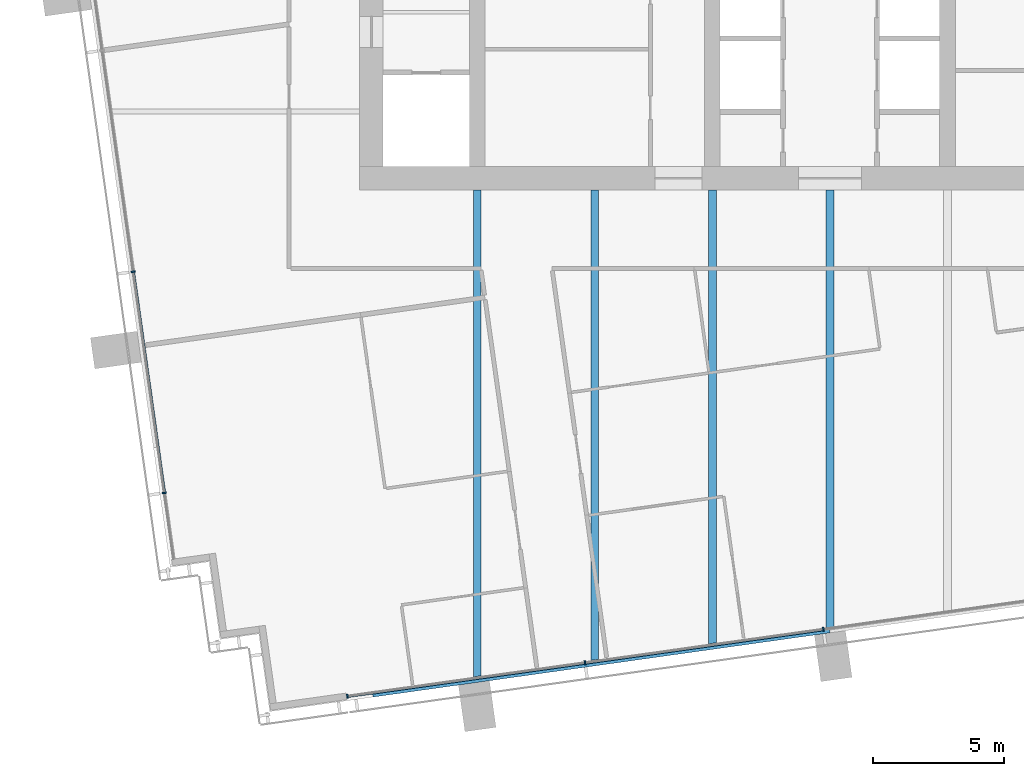
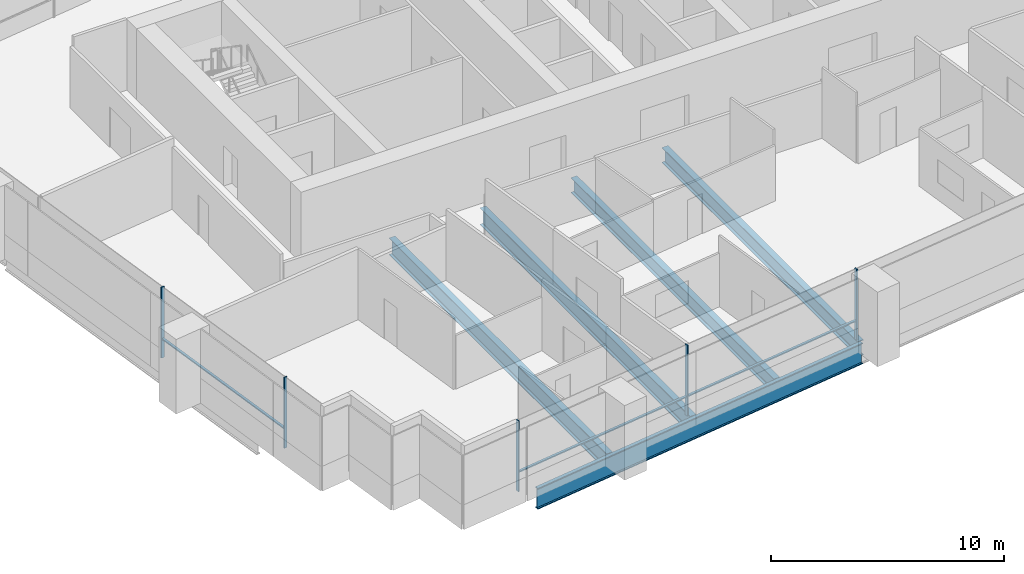
# One storey, part 2 of 18: 8 members, 5 beams, 2 elements without a shape of their own.
"""IFC4 building model written with IfcOpenShell, lengths in metres."""

from ifc_helpers import new_model, si_unit, direction, frame, origin, origin_2d, place, context, subcontext, project, spatial, rectangle, i_section, extrude, material, material_profile, profile_set, type_object, element, aggregate, save


model = new_model("IFC4")

# Units and contexts
model_context = context("Model", 3, precision=1e-05, world=origin(), true_north=direction((0.0, 1.0)))
body_context = subcontext(model_context, "Body", "Model", "MODEL_VIEW")
ifc_project = project(units=[si_unit("LENGTHUNIT", "METRE"), si_unit("AREAUNIT", "SQUARE_METRE"), si_unit("VOLUMEUNIT", "CUBIC_METRE"), si_unit("PLANEANGLEUNIT", "RADIAN"), si_unit("MASSUNIT", "GRAM", prefix="KILO")], contexts=[model_context])

# Site, building, storey
site_placement = place(None, origin())
site = spatial("IfcSite", under=ifc_project, at=site_placement, CompositionType="ELEMENT")
building_placement = place(site_placement, origin())
building = spatial("IfcBuilding", under=site, at=building_placement, Name="Rattan Terrace Tower", CompositionType="ELEMENT")
storey_placement = place(building_placement, frame((0.0, 0.0, 188.0)))
storey = spatial("IfcBuildingStorey", under=building, at=storey_placement, Name="L43", CompositionType="ELEMENT", Elevation=188.0)

# Curtain wall, members
ifc_material_1 = material(Name="Aluminium and glass", Category="aluminium")
curtain_wall_type = type_object("IfcCurtainWallType", Name="Facade Unitised Curtain Wall", PredefinedType="NOTDEFINED", material=ifc_material_1)
curtain_wall_1_placement = place(storey_placement, origin())
curtain_wall_1 = element("IfcCurtainWall", 1, at=curtain_wall_1_placement, inside=storey, type_object=curtain_wall_type, Name="Curtain wall L43-3", PredefinedType="NOTDEFINED")
ifc_material_2 = material(Name="Aluminium", Category="aluminium")
ifc_material_profile_1 = material_profile(ifc_material_2, rectangle(XDim=0.06005859375, YDim=0.159912109375, at=origin_2d()), Name="Aluminium 60x160")
ifc_profile_set_1 = profile_set([ifc_material_profile_1], Name="Aluminium")
member_type_1 = type_object("IfcMemberType", Name="Facade CW Mullion 60x160", PredefinedType="MULLION", material=ifc_profile_set_1)
member_1_placement = place(storey_placement, frame((-26.66748046875, -10.6259765625, 0.0), z_axis=(0.0, 0.0, 1.0), x_axis=(0.139190856006, -0.99026557327, 0.0)))
member_1 = element("IfcMember", 2, at=member_1_placement, type_object=member_type_1, Name="Mullion cwl-L43-003.3", PredefinedType="MULLION", context=body_context, shape_type="SweptSolid", body=[
    extrude(rectangle(XDim=0.06005859375, YDim=0.159912109375, at=origin_2d()), origin(), (0.0, 0.0, 1.0), 3.699951171875),
])
member_2_placement = place(storey_placement, frame((-25.477294921875, -19.092529296875, 0.0), z_axis=(0.0, 0.0, 1.0), x_axis=(0.139190856006, -0.99026557327, 0.0)))
member_2 = element("IfcMember", 3, at=member_2_placement, type_object=member_type_1, Name="Mullion cwl-L43-003.4", PredefinedType="MULLION", context=body_context, shape_type="SweptSolid", body=[
    extrude(rectangle(XDim=0.06005859375, YDim=0.159912109375, at=origin_2d()), origin(), (0.0, 0.0, 1.0), 3.699951171875),
])

curtain_wall_2_placement = place(storey_placement, origin())
curtain_wall_2 = element("IfcCurtainWall", 4, at=curtain_wall_2_placement, inside=storey, type_object=curtain_wall_type, Name="Curtain wall L43-4", PredefinedType="NOTDEFINED")
member_3_placement = place(storey_placement, frame((-18.467041015625, -26.87255859375, 0.0), z_axis=(0.0, 0.0, 1.0), x_axis=(0.990269702686, 0.139161474347, 0.0)))
member_3 = element("IfcMember", 5, at=member_3_placement, type_object=member_type_1, Name="Mullion cwl-L43-004.1", PredefinedType="MULLION", context=body_context, shape_type="SweptSolid", body=[
    extrude(rectangle(XDim=0.06005859375, YDim=0.159912109375, at=origin_2d()), origin(), (0.0, 0.0, 1.0), 3.699951171875),
])
member_4_placement = place(storey_placement, frame((-9.373291015625, -25.594482421875, 0.0), z_axis=(0.0, 0.0, 1.0), x_axis=(0.990269702686, 0.139161474347, 0.0)))
member_4 = element("IfcMember", 6, at=member_4_placement, type_object=member_type_1, Name="Mullion cwl-L43-004.2", PredefinedType="MULLION", context=body_context, shape_type="SweptSolid", body=[
    extrude(rectangle(XDim=0.06005859375, YDim=0.159912109375, at=origin_2d()), origin(), (0.0, 0.0, 1.0), 3.699951171875),
])
member_5_placement = place(storey_placement, frame((-0.25, -24.3125, 0.0), z_axis=(0.0, 0.0, 1.0), x_axis=(0.990269702686, 0.139161474347, 0.0)))
member_5 = element("IfcMember", 7, at=member_5_placement, type_object=member_type_1, Name="Mullion cwl-L43-004.3", PredefinedType="MULLION", context=body_context, shape_type="SweptSolid", body=[
    extrude(rectangle(XDim=0.06005859375, YDim=0.159912109375, at=origin_2d()), origin(), (0.0, 0.0, 1.0), 3.699951171875),
])

# Member
ifc_material_3 = material(Name="Aluminium", Category="aluminium")
ifc_material_profile_2 = material_profile(ifc_material_3, rectangle(XDim=0.1201171875, YDim=0.06005859375, at=origin_2d()), Name="Aluminium 120x60")
ifc_profile_set_2 = profile_set([ifc_material_profile_2], Name="Aluminium")
member_type_2 = type_object("IfcMemberType", Name="Facade CW Transom 120x60", PredefinedType="USERDEFINED", material=ifc_profile_set_2)
member_6_placement = place(storey_placement, frame((-26.663330078125, -10.655517578125, 1.0), z_axis=(0.139178607515, -0.99026729483, 0.0), x_axis=(0.99026729483, 0.139178607515, 0.0)))
member_6 = element("IfcMember", 8, at=member_6_placement, type_object=member_type_2, Name="Transom cwl-L43-003.3", ObjectType="TRANSOM", PredefinedType="USERDEFINED", context=body_context, shape_type="SweptSolid", body=[
    extrude(rectangle(XDim=0.1201171875, YDim=0.06005859375, at=origin_2d()), origin(), (0.0, 0.0, 1.0), 8.489990234375),
])

aggregate(curtain_wall_1, [member_1, member_2, member_6])

member_7_placement = place(storey_placement, frame((-18.437255859375, -26.868408203125, 1.0), z_axis=(0.990266494002, 0.139184305354, 0.0), x_axis=(-0.139184305354, 0.990266494002, 0.0)))
member_7 = element("IfcMember", 9, at=member_7_placement, type_object=member_type_2, Name="Transom cwl-L43-004.1", ObjectType="TRANSOM", PredefinedType="USERDEFINED", context=body_context, shape_type="SweptSolid", body=[
    extrude(rectangle(XDim=0.1201171875, YDim=0.06005859375, at=origin_2d()), origin(), (0.0, 0.0, 1.0), 9.123046875),
])

member_8_placement = place(storey_placement, frame((-9.343505859375, -25.59033203125, 1.0), z_axis=(0.990270711765, 0.139154293575, 0.0), x_axis=(-0.139154293575, 0.990270711765, 0.0)))
member_8 = element("IfcMember", 10, at=member_8_placement, type_object=member_type_2, Name="Transom cwl-L43-004.2", ObjectType="TRANSOM", PredefinedType="USERDEFINED", context=body_context, shape_type="SweptSolid", body=[
    extrude(rectangle(XDim=0.1201171875, YDim=0.06005859375, at=origin_2d()), origin(), (0.0, 0.0, 1.0), 9.153076171875),
])

aggregate(curtain_wall_2, [member_3, member_4, member_5, member_7, member_8])

# Beams
ifc_material_4 = material(Name="Steel S460", Category="steel")
ifc_material_profile_3 = material_profile(ifc_material_4, i_section(OverallWidth=0.179931640625, OverallDepth=1.10009765625, WebThickness=0.01611328125, FlangeThickness=0.050048828125, at=origin_2d()), Name="PG 1100x180-16-50")
ifc_profile_set_3 = profile_set([ifc_material_profile_3], Name="Steel S460")
beam_type_1 = type_object("IfcBeamType", Name="Frame edge girder PG 1100x180-16-50", PredefinedType="SPANDREL", material=ifc_profile_set_3)
beam_1_placement = place(storey_placement, frame((-17.4990234375, -26.818115234375, -0.75), z_axis=(0.990264173921, 0.139200811234, 0.0), x_axis=(-0.139200811234, 0.990264173921, 0.0)))
element("IfcBeam", 11, at=beam_1_placement, inside=storey, type_object=beam_type_1, Name="gdr-L43-001", PredefinedType="SPANDREL", context=body_context, shape_type="SweptSolid", body=[
    extrude(i_section(OverallWidth=0.179931640625, OverallDepth=1.10009765625, WebThickness=0.01611328125, FlangeThickness=0.050048828125, at=origin_2d()), origin(), (0.0, 0.0, 1.0), 17.657958984375),
])
ifc_material_5 = material(Name="Steel S355", Category="steel")
ifc_material_profile_4 = material_profile(ifc_material_5, i_section(OverallWidth=0.300048828125, OverallDepth=0.800048828125, WebThickness=0.017578125, FlangeThickness=0.032958984375, FilletRadius=0.030029296875, at=origin_2d()), Name="HE 800 B")
ifc_profile_set_4 = profile_set([ifc_material_profile_4], Name="Steel S355")
beam_type_2 = type_object("IfcBeamType", Name="Frame floor beam HE 800 B", PredefinedType="JOIST", material=ifc_profile_set_4)
beam_2_placement = place(storey_placement, frame((-4.5, -24.87890625, -0.60009765625), z_axis=(0.0, 1.0, 0.0), x_axis=(-1.0, 0.0, 0.0)))
element("IfcBeam", 12, at=beam_2_placement, inside=storey, type_object=beam_type_2, Name="bm-L43-005", PredefinedType="JOIST", context=body_context, shape_type="SweptSolid", body=[
    extrude(i_section(OverallWidth=0.300048828125, OverallDepth=0.800048828125, WebThickness=0.017578125, FlangeThickness=0.032958984375, FilletRadius=0.030029296875, at=origin_2d()), origin(), (0.0, 0.0, 1.0), 17.37890625),
])
beam_3_placement = place(storey_placement, frame((0.0, -24.24609375, -0.60009765625), z_axis=(0.0, 1.0, 0.0), x_axis=(-1.0, 0.0, 0.0)))
element("IfcBeam", 13, at=beam_3_placement, inside=storey, type_object=beam_type_2, Name="bm-L43-006", PredefinedType="JOIST", context=body_context, shape_type="SweptSolid", body=[
    extrude(i_section(OverallWidth=0.300048828125, OverallDepth=0.800048828125, WebThickness=0.017578125, FlangeThickness=0.032958984375, FilletRadius=0.030029296875, at=origin_2d()), origin(), (0.0, 0.0, 1.0), 16.74609375),
])
ifc_material_6 = material(Name="Steel S355", Category="steel")
ifc_material_profile_5 = material_profile(ifc_material_6, i_section(OverallWidth=0.300048828125, OverallDepth=0.89990234375, WebThickness=0.0185546875, FlangeThickness=0.034912109375, FilletRadius=0.030029296875, at=origin_2d()), Name="HE 900 B")
ifc_profile_set_5 = profile_set([ifc_material_profile_5], Name="Steel S355")
beam_type_3 = type_object("IfcBeamType", Name="Frame floor beam HE 900 B", PredefinedType="JOIST", material=ifc_profile_set_5)
beam_4_placement = place(storey_placement, frame((-13.5, -26.14404296875, -0.64990234375), z_axis=(0.0, 1.0, 0.0), x_axis=(-1.0, 0.0, 0.0)))
element("IfcBeam", 14, at=beam_4_placement, inside=storey, type_object=beam_type_3, Name="bm-L43-003", PredefinedType="JOIST", context=body_context, shape_type="SweptSolid", body=[
    extrude(i_section(OverallWidth=0.300048828125, OverallDepth=0.89990234375, WebThickness=0.0185546875, FlangeThickness=0.034912109375, FilletRadius=0.030029296875, at=origin_2d()), origin(), (0.0, 0.0, 1.0), 18.64404296875),
])
beam_5_placement = place(storey_placement, frame((-9.0, -25.510986328125, -0.64990234375), z_axis=(0.0, 1.0, 0.0), x_axis=(-1.0, 0.0, 0.0)))
element("IfcBeam", 15, at=beam_5_placement, inside=storey, type_object=beam_type_3, Name="bm-L43-004", PredefinedType="JOIST", context=body_context, shape_type="SweptSolid", body=[
    extrude(i_section(OverallWidth=0.300048828125, OverallDepth=0.89990234375, WebThickness=0.0185546875, FlangeThickness=0.034912109375, FilletRadius=0.030029296875, at=origin_2d()), origin(), (0.0, 0.0, 1.0), 18.010986328125),
])

save(model, "model.ifc")
